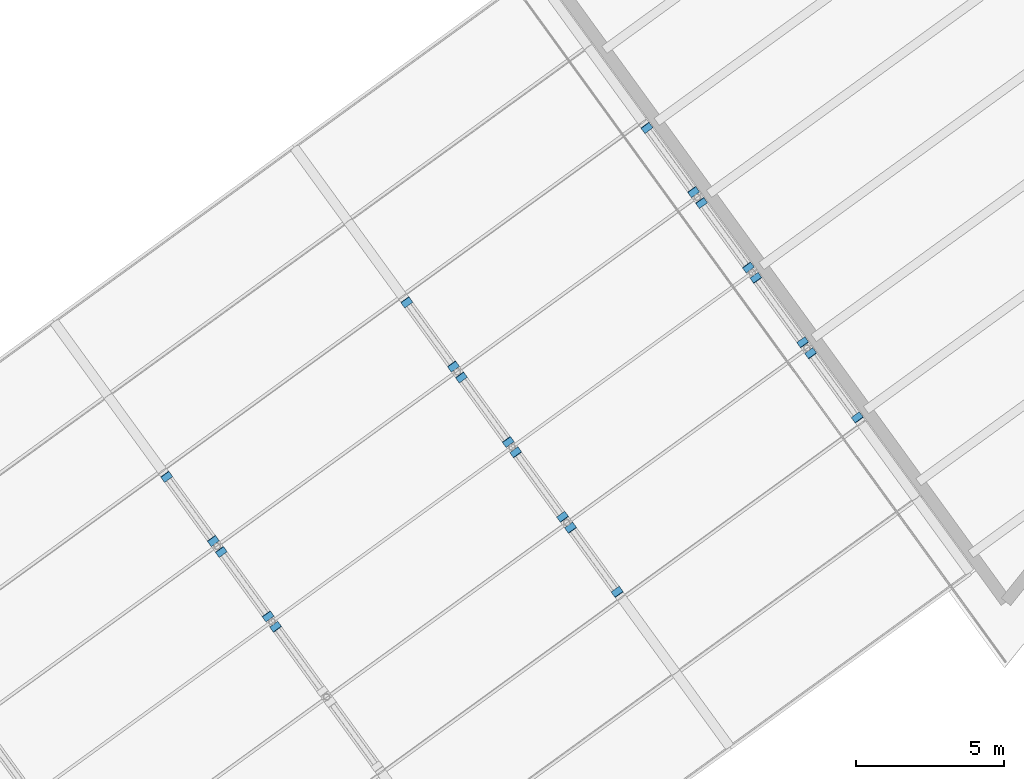
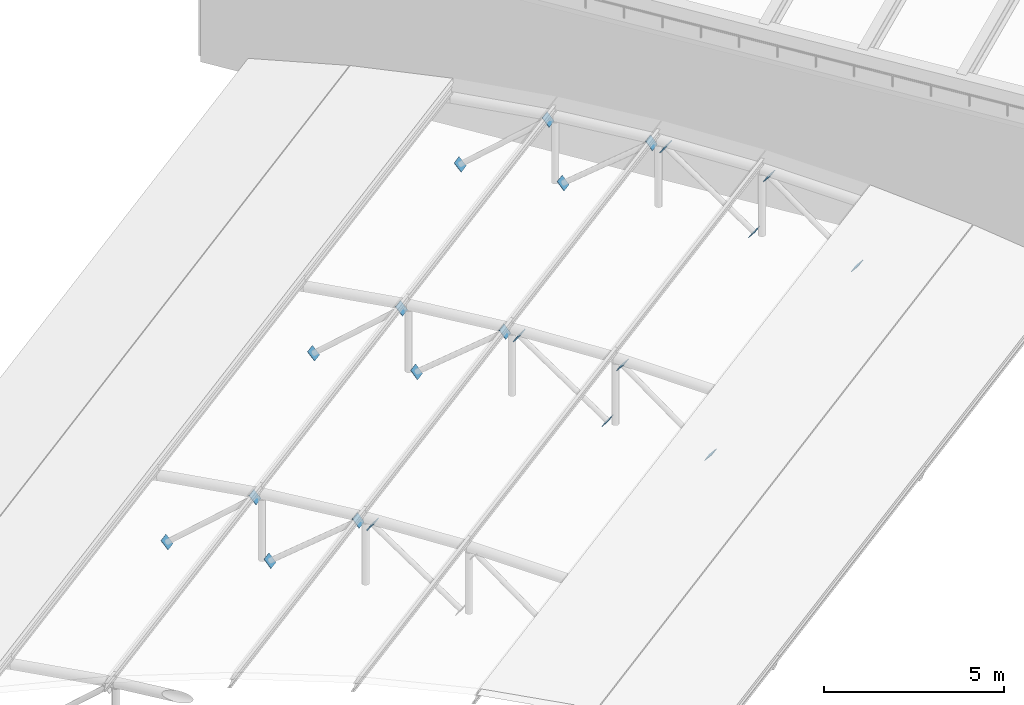
# One storey, part 40 of 41: 21 discrete accessories.
"""IFC4 building model written with IfcOpenShell, lengths in metres."""

from ifc_helpers import new_model, si_unit, direction, frame, origin, origin_2d, place, context, subcontext, project, spatial, rectangle, extrude, material, layer, layer_set, type_object, element, save


model = new_model("IFC4")

# Units and contexts
model_context = context("Model", 3, precision=1e-05, world=origin(), true_north=direction((0.0, 1.0)))
body_context = subcontext(model_context, "Body", "Model", "MODEL_VIEW")
ifc_project = project(units=[si_unit("LENGTHUNIT", "METRE"), si_unit("AREAUNIT", "SQUARE_METRE"), si_unit("VOLUMEUNIT", "CUBIC_METRE"), si_unit("PLANEANGLEUNIT", "RADIAN"), si_unit("MASSUNIT", "GRAM", prefix="KILO")], contexts=[model_context])

# Site, building, storey
site_placement = place(None, origin())
site = spatial("IfcSite", under=ifc_project, at=site_placement, CompositionType="ELEMENT")
building_placement = place(site_placement, origin())
building = spatial("IfcBuilding", under=site, at=building_placement, Name="Okhra Congress Centre", CompositionType="ELEMENT")
storey_placement = place(building_placement, frame((0.0, 0.0, 21.60009765625)))
storey = spatial("IfcBuildingStorey", under=building, at=storey_placement, Name="ROOF", CompositionType="ELEMENT", Elevation=21.60009765625)

# Discrete accessories
ifc_material = material(Name="Steel S355J2", Category="steel")
ifc_layer = layer(ifc_material, 0.02001953125)
ifc_layer_set = layer_set([ifc_layer], Name="Brace end connection plate 20 mm S355")
discrete_accessory_type = type_object("IfcDiscreteAccessoryType", Name="Brace end connection plate 20 mm S355", PredefinedType="BRACKET", material=ifc_layer_set)
for number, where, z_axis, x_axis, name in (
    (1, (246.434326171875, 201.2802734375, 1.3046875), (-0.466055986886, 0.63776082416, 0.613231561692), (-0.807391122258, -0.590016589342, 0.0), "Brace end connection plate"),
    (2, (244.599609375, 203.8056640625, -0.812255859375), (-0.462555535424, 0.632970732686, -0.620798218596), (-0.807391122258, -0.590016589342, 0.0), "Brace end connection plate"),
):
    element("IfcDiscreteAccessory", number, at=place(storey_placement, frame(where, z_axis=z_axis, x_axis=x_axis)), inside=storey, type_object=discrete_accessory_type, Name=name, PredefinedType="BRACKET", context=body_context, shape_type="SweptSolid", body=[
        extrude(rectangle(XDim=0.3369140625, YDim=0.3369140625, at=origin_2d()), origin(), (0.0, 0.0, 1.0), 0.02001953125),
    ])
discrete_accessory_1_placement = place(storey_placement, frame((246.167724609375, 201.647216796875, 1.3046875), z_axis=(0.45637296344, -0.641389029699, 0.616720220864), x_axis=(0.8147908412, 0.579755021623, 0.0)))
element("IfcDiscreteAccessory", 3, at=discrete_accessory_1_placement, inside=storey, type_object=discrete_accessory_type, Name="Brace end connection plate", PredefinedType="BRACKET", context=body_context, shape_type="SweptSolid", body=[
    extrude(rectangle(XDim=0.3369140625, YDim=0.3369140625, at=origin_2d()), origin(), (0.0, 0.0, 1.0), 0.019775390625),
])
for number, where, z_axis, x_axis, name in (
    (4, (242.760498046875, 206.336669921875, -1.07080078125), (-0.449385346725, 0.619423045486, -0.643714145309), (-0.809421847963, -0.587227615189, 0.0), "Brace end connection plate"),
    (5, (244.322265625, 204.18701171875, 1.19970703125), (0.452770910566, -0.611852581845, 0.648563736756), (0.803841899203, 0.59484300541, 0.0), "Brace end connection plate"),
):
    element("IfcDiscreteAccessory", number, at=place(storey_placement, frame(where, z_axis=z_axis, x_axis=x_axis)), inside=storey, type_object=discrete_accessory_type, Name=name, PredefinedType="BRACKET", context=body_context, shape_type="SweptSolid", body=[
        extrude(rectangle(XDim=0.3369140625, YDim=0.3369140625, at=origin_2d()), origin(), (0.0, 0.0, 1.0), 0.02001953125),
    ])
discrete_accessory_2_placement = place(storey_placement, frame((257.931640625, 202.468505859375, -1.07080078125), z_axis=(0.442961610803, -0.615224459448, -0.652137927015), x_axis=(0.811534341451, 0.584304725845, 0.0)))
element("IfcDiscreteAccessory", 6, at=discrete_accessory_2_placement, inside=storey, type_object=discrete_accessory_type, Name="Brace end connection plate", PredefinedType="BRACKET", context=body_context, shape_type="SweptSolid", body=[
    extrude(rectangle(XDim=0.3369140625, YDim=0.3369140625, at=origin_2d()), origin(), (0.0, 0.0, 1.0), 0.019775390625),
])
for number, where, z_axis, x_axis, name in (
    (7, (256.36962890625, 204.6181640625, 1.19970703125), (-0.439613202, 0.6227853695, 0.647208325166), (-0.816967863265, -0.576683197599, 0.0), "Brace end connection plate"),
    (8, (256.092529296875, 204.999755859375, -0.812255859375), (0.462555535424, -0.632970732686, -0.620798218596), (0.807391122258, 0.590016589342, 0.0), "Brace end connection plate"),
    (9, (254.5244140625, 207.158203125, 1.3046875), (-0.466055986886, 0.63776082416, 0.613231561692), (-0.807391122258, -0.590016589342, 0.0), "Brace end connection plate"),
    (10, (252.689697265625, 209.683349609375, -0.812255859375), (-0.462555535424, 0.632970732686, -0.620798218596), (-0.807391122258, -0.590016589342, 0.0), "Brace end connection plate"),
    (11, (254.2578125, 207.525146484375, 1.3046875), (0.466055986886, -0.63776082416, 0.613231561692), (0.807391122258, 0.590016589342, 0.0), "Brace end connection plate"),
):
    element("IfcDiscreteAccessory", number, at=place(storey_placement, frame(where, z_axis=z_axis, x_axis=x_axis)), inside=storey, type_object=discrete_accessory_type, Name=name, PredefinedType="BRACKET", context=body_context, shape_type="SweptSolid", body=[
        extrude(rectangle(XDim=0.3369140625, YDim=0.3369140625, at=origin_2d()), origin(), (0.0, 0.0, 1.0), 0.02001953125),
    ])
for number, where, z_axis, x_axis, name in (
    (12, (250.8505859375, 212.214599609375, -1.07080078125), (-0.442961610803, 0.615224459448, -0.652137927015), (-0.811534341451, -0.584304725845, 0.0), "Brace end connection plate"),
    (13, (252.41259765625, 210.06494140625, 1.19970703125), (0.442961610803, -0.615224459448, 0.652137927015), (0.811534341451, 0.584304725845, 0.0), "Brace end connection plate"),
):
    element("IfcDiscreteAccessory", number, at=place(storey_placement, frame(where, z_axis=z_axis, x_axis=x_axis)), inside=storey, type_object=discrete_accessory_type, Name=name, PredefinedType="BRACKET", context=body_context, shape_type="SweptSolid", body=[
        extrude(rectangle(XDim=0.3369140625, YDim=0.3369140625, at=origin_2d()), origin(), (0.0, 0.0, 1.0), 0.019775390625),
    ])
for number, where, z_axis, x_axis, name in (
    (14, (266.021728515625, 208.346435546875, -1.07080078125), (0.452770910566, -0.611852581845, -0.648563736756), (0.803841899203, 0.59484300541, 0.0), "Brace end connection plate"),
    (15, (264.4599609375, 210.49609375, 1.19970703125), (-0.449385346725, 0.619423045486, 0.643714145309), (-0.809421847963, -0.587227615189, 0.0), "Brace end connection plate"),
    (16, (264.182861328125, 210.877685546875, -0.812255859375), (0.452906572265, -0.636517344804, -0.624276626635), (0.8147908412, 0.579755021623, 0.0), "Brace end connection plate"),
):
    element("IfcDiscreteAccessory", number, at=place(storey_placement, frame(where, z_axis=z_axis, x_axis=x_axis)), inside=storey, type_object=discrete_accessory_type, Name=name, PredefinedType="BRACKET", context=body_context, shape_type="SweptSolid", body=[
        extrude(rectangle(XDim=0.3369140625, YDim=0.3369140625, at=origin_2d()), origin(), (0.0, 0.0, 1.0), 0.02001953125),
    ])
discrete_accessory_3_placement = place(storey_placement, frame((262.614501953125, 213.035888671875, 1.3046875), z_axis=(-0.45637296344, 0.641389029699, 0.616720220864), x_axis=(-0.8147908412, -0.579755021623, 0.0)))
element("IfcDiscreteAccessory", 17, at=discrete_accessory_3_placement, inside=storey, type_object=discrete_accessory_type, Name="Brace end connection plate", PredefinedType="BRACKET", context=body_context, shape_type="SweptSolid", body=[
    extrude(rectangle(XDim=0.3369140625, YDim=0.3369140625, at=origin_2d()), origin(), (0.0, 0.0, 1.0), 0.019775390625),
])
for number, where, z_axis, x_axis, name in (
    (18, (260.77978515625, 215.561279296875, -0.812255859375), (-0.452906572265, 0.636517344804, -0.624276626635), (-0.8147908412, -0.579755021623, 0.0), "Brace end connection plate"),
    (19, (262.347900390625, 213.40283203125, 1.3046875), (0.466055986886, -0.63776082416, 0.613231561692), (0.807391122258, 0.590016589342, 0.0), "Brace end connection plate"),
    (20, (258.94091796875, 218.092529296875, -1.07080078125), (-0.452770910566, 0.611852581845, -0.648563736756), (-0.803841899203, -0.59484300541, 0.0), "Brace end connection plate"),
    (21, (260.502685546875, 215.94287109375, 1.19970703125), (0.449385346725, -0.619423045486, 0.643714145309), (0.809421847963, 0.587227615189, 0.0), "Brace end connection plate"),
):
    element("IfcDiscreteAccessory", number, at=place(storey_placement, frame(where, z_axis=z_axis, x_axis=x_axis)), inside=storey, type_object=discrete_accessory_type, Name=name, PredefinedType="BRACKET", context=body_context, shape_type="SweptSolid", body=[
        extrude(rectangle(XDim=0.3369140625, YDim=0.3369140625, at=origin_2d()), origin(), (0.0, 0.0, 1.0), 0.02001953125),
    ])

save(model, "model.ifc")
